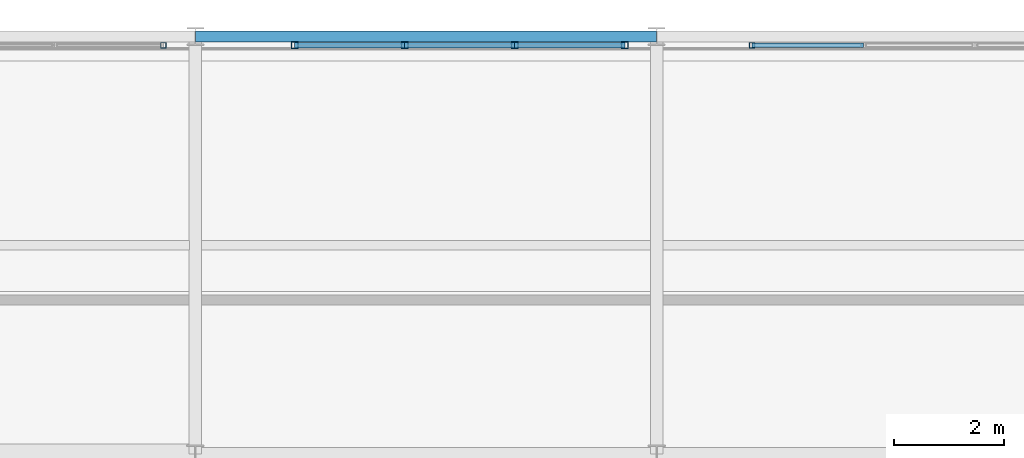
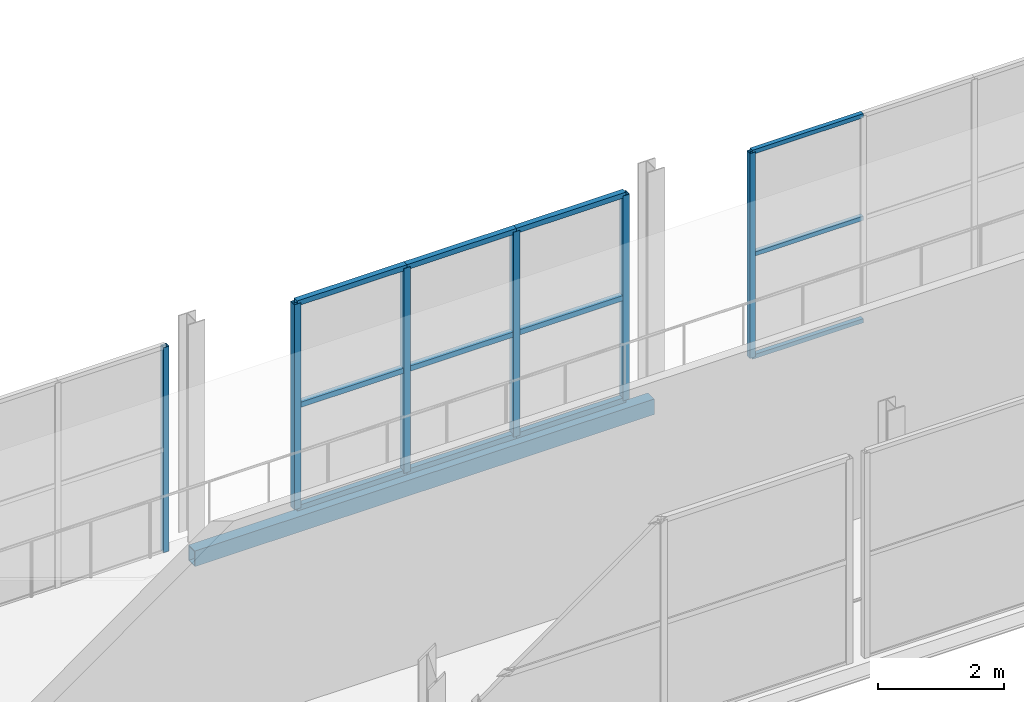
# One storey, part 65 of 151: 18 members, 1 beam, 3 elements without a shape of their own.
"""IFC4 building model written with IfcOpenShell, lengths in metres."""

from ifc_helpers import new_model, si_unit, direction, frame, origin, origin_2d, place, context, subcontext, project, spatial, hollow_rectangle, extrude, material, material_profile, profile_set, type_object, element, aggregate, save


model = new_model("IFC4")

# Units and contexts
model_context = context("Model", 3, precision=1e-05, world=origin(), true_north=direction((0.0, 1.0)))
body_context = subcontext(model_context, "Body", "Model", "MODEL_VIEW")
ifc_project = project(units=[si_unit("LENGTHUNIT", "METRE"), si_unit("AREAUNIT", "SQUARE_METRE"), si_unit("VOLUMEUNIT", "CUBIC_METRE"), si_unit("PLANEANGLEUNIT", "RADIAN"), si_unit("MASSUNIT", "GRAM", prefix="KILO")], contexts=[model_context])

# Site, building, storey
site_placement = place(None, origin())
site = spatial("IfcSite", under=ifc_project, at=site_placement, CompositionType="ELEMENT")
building_placement = place(site_placement, origin())
building = spatial("IfcBuilding", under=site, at=building_placement, Name="Zuvorla Pavilion Media Centre", CompositionType="ELEMENT")
storey_placement = place(building_placement, frame((0.0, 0.0, 13.800048828125)))
storey = spatial("IfcBuildingStorey", under=building, at=storey_placement, Name="L03", CompositionType="ELEMENT", Elevation=13.800048828125)

# Beam
ifc_material_1 = material(Name="Steel S355", Category="steel")
ifc_material_profile_1 = material_profile(ifc_material_1, hollow_rectangle(XDim=0.199951171875, YDim=0.300048828125, WallThickness=0.012451171875, at=origin_2d()), Name="RHS 300x200x12.5")
ifc_profile_set_1 = profile_set([ifc_material_profile_1], Name="Steel S355")
beam_type = type_object("IfcBeamType", Name="BM-SP-RHS300", PredefinedType="SPANDREL", material=ifc_profile_set_1)
beam_placement = place(storey_placement, frame((41.60009765625, 89.60009765625, -0.407958984375), z_axis=(1.0, 0.0, 0.0), x_axis=(0.0, 1.0, 0.0)))
element("IfcBeam", 1, at=beam_placement, inside=storey, type_object=beam_type, Name="L03 spandrel SP01 1134", PredefinedType="SPANDREL", context=body_context, shape_type="SweptSolid", body=[
    extrude(hollow_rectangle(XDim=0.199951171875, YDim=0.300048828125, WallThickness=0.012451171875, at=origin_2d()), origin(), (0.0, 0.0, 1.0), 8.39990234375),
])

# Curtain wall, member
ifc_material_2 = material(Name="Unitised anodised aluminium and solar glass curtain wall", Category="aluminium")
curtain_wall_type_1 = type_object("IfcCurtainWallType", Name="CW-SYS-65", PredefinedType="USERDEFINED", material=ifc_material_2)
curtain_wall_1_placement = place(storey_placement, origin())
curtain_wall_1 = element("IfcCurtainWall", 2, at=curtain_wall_1_placement, inside=storey, type_object=curtain_wall_type_1, Name="L03 curtain wall CW65 117", ObjectType="CURTAIN WALL", PredefinedType="USERDEFINED")
ifc_material_3 = material(Name="Anodised aluminium 6063-T6", Category="aluminium")
ifc_material_profile_2 = material_profile(ifc_material_3, hollow_rectangle(XDim=0.10009765625, YDim=0.10009765625, WallThickness=0.00439453125, at=origin_2d()), Name="ALU MULL 100x100")
ifc_profile_set_2 = profile_set([ifc_material_profile_2], Name="Anodised aluminium 6063-T6")
member_type_1 = type_object("IfcMemberType", Name="CW-MULL-100", PredefinedType="MULLION", material=ifc_profile_set_2)
member_1_placement = place(storey_placement, frame((51.735107421875, 89.43994140625, 0.0), z_axis=(0.0, 0.0, 1.0), x_axis=(1.0, 0.0, 0.0)))
member_1 = element("IfcMember", 3, at=member_1_placement, type_object=member_type_1, Name="CW65 mullion 4", PredefinedType="MULLION", context=body_context, shape_type="SweptSolid", body=[
    extrude(hollow_rectangle(XDim=0.10009765625, YDim=0.10009765625, WallThickness=0.00439453125, at=origin_2d()), origin(), (0.0, 0.0, 1.0), 3.9599609375),
])

curtain_wall_type_2 = type_object("IfcCurtainWallType", Name="CW-SYS-67", PredefinedType="USERDEFINED", material=ifc_material_2)
curtain_wall_2_placement = place(storey_placement, origin())
curtain_wall_2 = element("IfcCurtainWall", 4, at=curtain_wall_2_placement, inside=storey, type_object=curtain_wall_type_2, Name="L03 curtain wall CW67 119", ObjectType="CURTAIN WALL", PredefinedType="USERDEFINED")
member_2_placement = place(storey_placement, frame((41.01806640625, 89.43994140625, 0.0), z_axis=(0.0, 0.0, 1.0), x_axis=(1.0, 0.0, 0.0)))
member_2 = element("IfcMember", 5, at=member_2_placement, type_object=member_type_1, Name="CW67 mullion 1", PredefinedType="MULLION", context=body_context, shape_type="SweptSolid", body=[
    extrude(hollow_rectangle(XDim=0.10009765625, YDim=0.10009765625, WallThickness=0.00439453125, at=origin_2d()), origin(), (0.0, 0.0, 1.0), 3.9599609375),
])
aggregate(curtain_wall_2, [member_2])

# Curtain wall, members
curtain_wall_type_3 = type_object("IfcCurtainWallType", Name="CW-SYS-66", PredefinedType="USERDEFINED", material=ifc_material_2)
curtain_wall_3_placement = place(storey_placement, origin())
curtain_wall_3 = element("IfcCurtainWall", 6, at=curtain_wall_3_placement, inside=storey, type_object=curtain_wall_type_3, Name="L03 curtain wall CW66 118", ObjectType="CURTAIN WALL", PredefinedType="USERDEFINED")
ifc_material_profile_3 = material_profile(ifc_material_3, hollow_rectangle(XDim=0.1201171875, YDim=0.1201171875, WallThickness=0.0048828125, at=origin_2d()), Name="ALU MULL 120x120")
ifc_profile_set_3 = profile_set([ifc_material_profile_3], Name="Anodised aluminium 6063-T6")
member_type_2 = type_object("IfcMemberType", Name="CW-MULL-120", PredefinedType="MULLION", material=ifc_profile_set_3)
member_3_placement = place(storey_placement, frame((49.418212890625, 89.43994140625, 0.0), z_axis=(0.0, 0.0, 1.0), x_axis=(1.0, 0.0, 0.0)))
member_3 = element("IfcMember", 7, at=member_3_placement, type_object=member_type_2, Name="CW66 mullion 1", PredefinedType="MULLION", context=body_context, shape_type="SweptSolid", body=[
    extrude(hollow_rectangle(XDim=0.1201171875, YDim=0.1201171875, WallThickness=0.0048828125, at=origin_2d()), origin(), (0.0, 0.0, 1.0), 3.9599609375),
])
member_4_placement = place(storey_placement, frame((47.415283203125, 89.43994140625, 0.0), z_axis=(0.0, 0.0, 1.0), x_axis=(1.0, 0.0, 0.0)))
member_4 = element("IfcMember", 8, at=member_4_placement, type_object=member_type_2, Name="CW66 mullion 2", PredefinedType="MULLION", context=body_context, shape_type="SweptSolid", body=[
    extrude(hollow_rectangle(XDim=0.1201171875, YDim=0.1201171875, WallThickness=0.0048828125, at=origin_2d()), origin(), (0.0, 0.0, 1.0), 3.9599609375),
])
member_5_placement = place(storey_placement, frame((45.41259765625, 89.43994140625, 0.0), z_axis=(0.0, 0.0, 1.0), x_axis=(1.0, 0.0, 0.0)))
member_5 = element("IfcMember", 9, at=member_5_placement, type_object=member_type_2, Name="CW66 mullion 3", PredefinedType="MULLION", context=body_context, shape_type="SweptSolid", body=[
    extrude(hollow_rectangle(XDim=0.1201171875, YDim=0.1201171875, WallThickness=0.0048828125, at=origin_2d()), origin(), (0.0, 0.0, 1.0), 3.9599609375),
])
member_6_placement = place(storey_placement, frame((43.409912109375, 89.43994140625, 0.0), z_axis=(0.0, 0.0, 1.0), x_axis=(1.0, 0.0, 0.0)))
member_6 = element("IfcMember", 10, at=member_6_placement, type_object=member_type_2, Name="CW66 mullion 4", PredefinedType="MULLION", context=body_context, shape_type="SweptSolid", body=[
    extrude(hollow_rectangle(XDim=0.1201171875, YDim=0.1201171875, WallThickness=0.0048828125, at=origin_2d()), origin(), (0.0, 0.0, 1.0), 3.9599609375),
])
ifc_material_profile_4 = material_profile(ifc_material_3, hollow_rectangle(XDim=0.10009765625, YDim=0.10009765625, WallThickness=0.00439453125, at=origin_2d()), Name="ALU TRAN 100x100")
ifc_profile_set_4 = profile_set([ifc_material_profile_4], Name="Anodised aluminium 6063-T6")
member_type_3 = type_object("IfcMemberType", Name="CW-TRAN-100", PredefinedType="USERDEFINED", material=ifc_profile_set_4)
member_7_placement = place(storey_placement, frame((49.418212890625, 89.43994140625, 0.0), z_axis=(-1.0, 0.0, 0.0), x_axis=(0.0, -1.0, 0.0)))
member_7 = element("IfcMember", 11, at=member_7_placement, type_object=member_type_3, Name="CW66 transom 1.1", ObjectType="TRANSOM", PredefinedType="USERDEFINED", context=body_context, shape_type="SweptSolid", body=[
    extrude(hollow_rectangle(XDim=0.10009765625, YDim=0.10009765625, WallThickness=0.00439453125, at=origin_2d()), origin(), (0.0, 0.0, 1.0), 2.0029296875),
])
member_8_placement = place(storey_placement, frame((49.418212890625, 89.43994140625, 1.97998046875), z_axis=(-1.0, 0.0, 0.0), x_axis=(0.0, -1.0, 0.0)))
member_8 = element("IfcMember", 12, at=member_8_placement, type_object=member_type_3, Name="CW66 transom 1.2", ObjectType="TRANSOM", PredefinedType="USERDEFINED", context=body_context, shape_type="SweptSolid", body=[
    extrude(hollow_rectangle(XDim=0.10009765625, YDim=0.10009765625, WallThickness=0.00439453125, at=origin_2d()), origin(), (0.0, 0.0, 1.0), 2.0029296875),
])
member_9_placement = place(storey_placement, frame((49.418212890625, 89.43994140625, 3.9599609375), z_axis=(-1.0, 0.0, 0.0), x_axis=(0.0, -1.0, 0.0)))
member_9 = element("IfcMember", 13, at=member_9_placement, type_object=member_type_3, Name="CW66 transom 1.3", ObjectType="TRANSOM", PredefinedType="USERDEFINED", context=body_context, shape_type="SweptSolid", body=[
    extrude(hollow_rectangle(XDim=0.10009765625, YDim=0.10009765625, WallThickness=0.00439453125, at=origin_2d()), origin(), (0.0, 0.0, 1.0), 2.0029296875),
])
member_10_placement = place(storey_placement, frame((47.415283203125, 89.43994140625, 0.0), z_axis=(-1.0, 0.0, 0.0), x_axis=(0.0, -1.0, 0.0)))
member_10 = element("IfcMember", 14, at=member_10_placement, type_object=member_type_3, Name="CW66 transom 2.1", ObjectType="TRANSOM", PredefinedType="USERDEFINED", context=body_context, shape_type="SweptSolid", body=[
    extrude(hollow_rectangle(XDim=0.10009765625, YDim=0.10009765625, WallThickness=0.00439453125, at=origin_2d()), origin(), (0.0, 0.0, 1.0), 2.002685546875),
])
member_11_placement = place(storey_placement, frame((47.415283203125, 89.43994140625, 1.97998046875), z_axis=(-1.0, 0.0, 0.0), x_axis=(0.0, -1.0, 0.0)))
member_11 = element("IfcMember", 15, at=member_11_placement, type_object=member_type_3, Name="CW66 transom 2.2", ObjectType="TRANSOM", PredefinedType="USERDEFINED", context=body_context, shape_type="SweptSolid", body=[
    extrude(hollow_rectangle(XDim=0.10009765625, YDim=0.10009765625, WallThickness=0.00439453125, at=origin_2d()), origin(), (0.0, 0.0, 1.0), 2.002685546875),
])
member_12_placement = place(storey_placement, frame((47.415283203125, 89.43994140625, 3.9599609375), z_axis=(-1.0, 0.0, 0.0), x_axis=(0.0, -1.0, 0.0)))
member_12 = element("IfcMember", 16, at=member_12_placement, type_object=member_type_3, Name="CW66 transom 2.3", ObjectType="TRANSOM", PredefinedType="USERDEFINED", context=body_context, shape_type="SweptSolid", body=[
    extrude(hollow_rectangle(XDim=0.10009765625, YDim=0.10009765625, WallThickness=0.00439453125, at=origin_2d()), origin(), (0.0, 0.0, 1.0), 2.002685546875),
])
member_13_placement = place(storey_placement, frame((45.41259765625, 89.43994140625, 0.0), z_axis=(-1.0, 0.0, 0.0), x_axis=(0.0, -1.0, 0.0)))
member_13 = element("IfcMember", 17, at=member_13_placement, type_object=member_type_3, Name="CW66 transom 3.1", ObjectType="TRANSOM", PredefinedType="USERDEFINED", context=body_context, shape_type="SweptSolid", body=[
    extrude(hollow_rectangle(XDim=0.10009765625, YDim=0.10009765625, WallThickness=0.00439453125, at=origin_2d()), origin(), (0.0, 0.0, 1.0), 2.002685546875),
])
member_14_placement = place(storey_placement, frame((45.41259765625, 89.43994140625, 1.97998046875), z_axis=(-1.0, 0.0, 0.0), x_axis=(0.0, -1.0, 0.0)))
member_14 = element("IfcMember", 18, at=member_14_placement, type_object=member_type_3, Name="CW66 transom 3.2", ObjectType="TRANSOM", PredefinedType="USERDEFINED", context=body_context, shape_type="SweptSolid", body=[
    extrude(hollow_rectangle(XDim=0.10009765625, YDim=0.10009765625, WallThickness=0.00439453125, at=origin_2d()), origin(), (0.0, 0.0, 1.0), 2.002685546875),
])
member_15_placement = place(storey_placement, frame((45.41259765625, 89.43994140625, 3.9599609375), z_axis=(-1.0, 0.0, 0.0), x_axis=(0.0, -1.0, 0.0)))
member_15 = element("IfcMember", 19, at=member_15_placement, type_object=member_type_3, Name="CW66 transom 3.3", ObjectType="TRANSOM", PredefinedType="USERDEFINED", context=body_context, shape_type="SweptSolid", body=[
    extrude(hollow_rectangle(XDim=0.10009765625, YDim=0.10009765625, WallThickness=0.00439453125, at=origin_2d()), origin(), (0.0, 0.0, 1.0), 2.002685546875),
])
aggregate(curtain_wall_3, [member_3, member_4, member_5, member_6, member_7, member_8, member_9, member_10, member_11, member_12, member_13, member_14, member_15])

# Member
ifc_material_profile_5 = material_profile(ifc_material_3, hollow_rectangle(XDim=0.080078125, YDim=0.080078125, WallThickness=0.00390625, at=origin_2d()), Name="ALU TRAN 80x80")
ifc_profile_set_5 = profile_set([ifc_material_profile_5], Name="Anodised aluminium 6063-T6")
member_type_4 = type_object("IfcMemberType", Name="CW-TRAN-80", PredefinedType="USERDEFINED", material=ifc_profile_set_5)
member_16_placement = place(storey_placement, frame((53.7626953125, 89.43994140625, 0.0), z_axis=(-1.0, 0.0, 0.0), x_axis=(0.0, -1.0, 0.0)))
member_16 = element("IfcMember", 20, at=member_16_placement, type_object=member_type_4, Name="CW65 transom 3.1", ObjectType="TRANSOM", PredefinedType="USERDEFINED", context=body_context, shape_type="SweptSolid", body=[
    extrude(hollow_rectangle(XDim=0.080078125, YDim=0.080078125, WallThickness=0.00390625, at=origin_2d()), origin(), (0.0, 0.0, 1.0), 2.027587890625),
])

member_17_placement = place(storey_placement, frame((53.7626953125, 89.43994140625, 1.97998046875), z_axis=(-1.0, 0.0, 0.0), x_axis=(0.0, -1.0, 0.0)))
member_17 = element("IfcMember", 21, at=member_17_placement, type_object=member_type_4, Name="CW65 transom 3.2", ObjectType="TRANSOM", PredefinedType="USERDEFINED", context=body_context, shape_type="SweptSolid", body=[
    extrude(hollow_rectangle(XDim=0.080078125, YDim=0.080078125, WallThickness=0.00390625, at=origin_2d()), origin(), (0.0, 0.0, 1.0), 2.027587890625),
])

member_18_placement = place(storey_placement, frame((53.7626953125, 89.43994140625, 3.9599609375), z_axis=(-1.0, 0.0, 0.0), x_axis=(0.0, -1.0, 0.0)))
member_18 = element("IfcMember", 22, at=member_18_placement, type_object=member_type_4, Name="CW65 transom 3.3", ObjectType="TRANSOM", PredefinedType="USERDEFINED", context=body_context, shape_type="SweptSolid", body=[
    extrude(hollow_rectangle(XDim=0.080078125, YDim=0.080078125, WallThickness=0.00390625, at=origin_2d()), origin(), (0.0, 0.0, 1.0), 2.027587890625),
])

aggregate(curtain_wall_1, [member_1, member_16, member_17, member_18])

save(model, "model.ifc")
